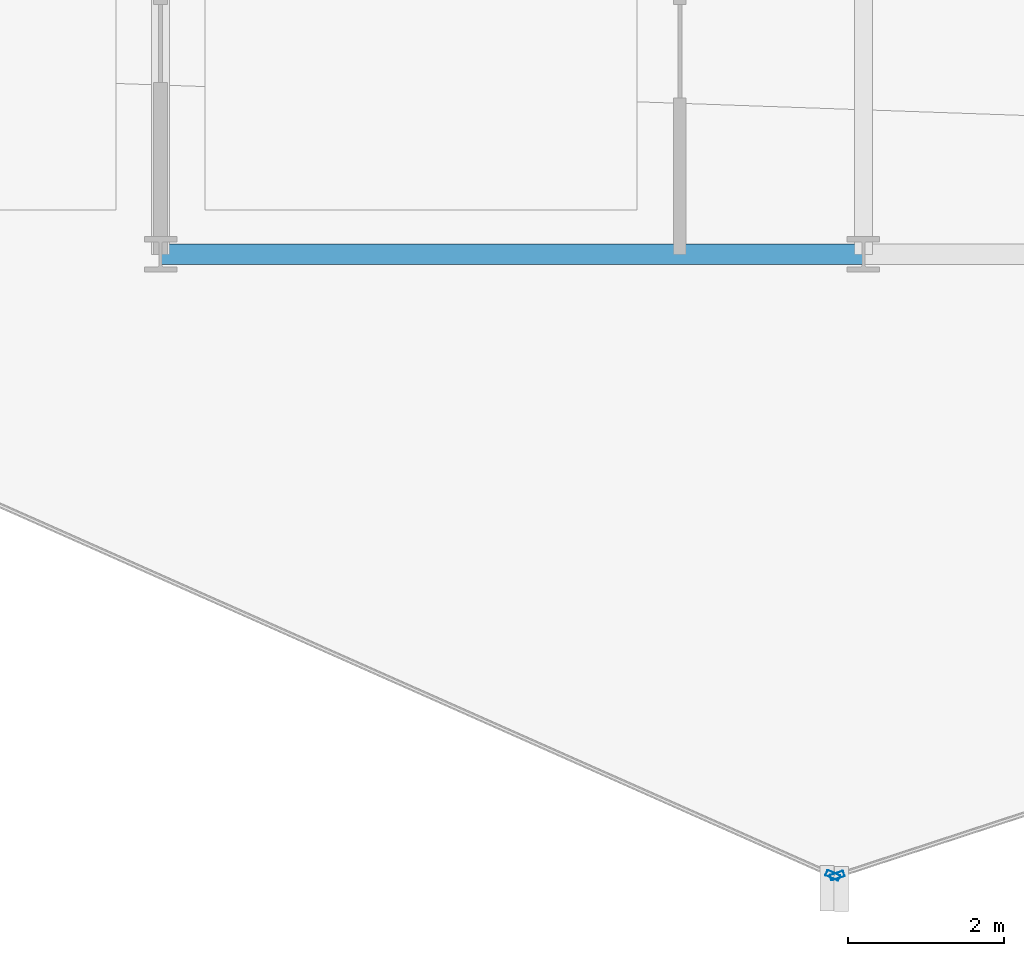
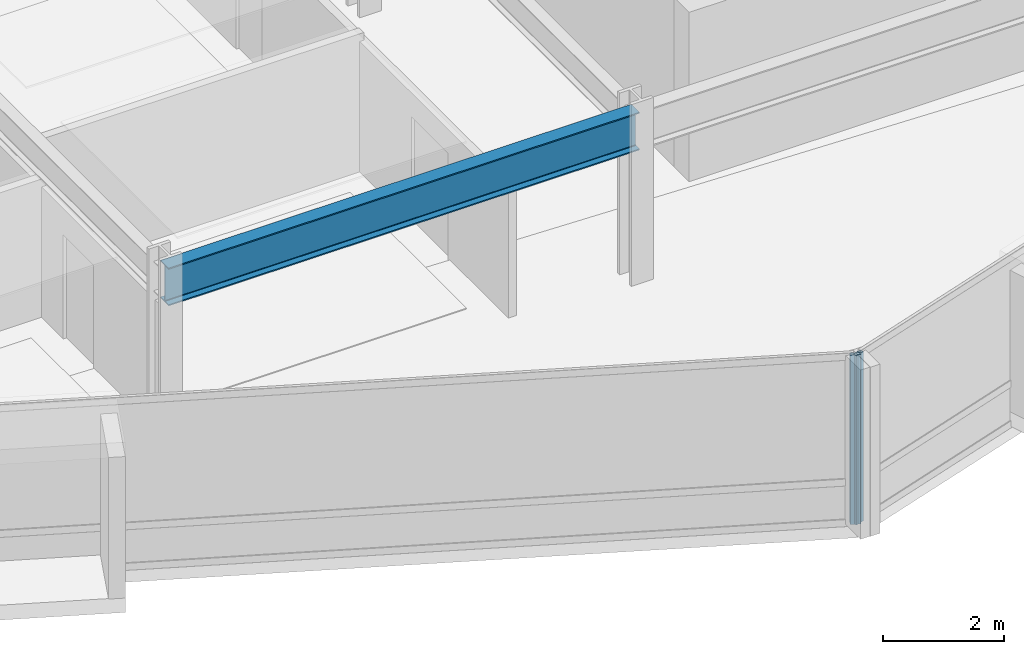
# One storey, part 4 of 28: 2 members, 1 beam, 2 elements without a shape of their own.
"""IFC4 building model written with IfcOpenShell, lengths in metres."""

from ifc_helpers import new_model, si_unit, direction, frame, origin, origin_2d, place, context, subcontext, project, spatial, hollow_rectangle, i_section, extrude, material, layer, layer_set, material_profile, profile_set, type_object, element, aggregate, save


model = new_model("IFC4")

# Units and contexts
model_context = context("Model", 3, precision=1e-05, world=origin(), true_north=direction((0.0, 1.0)))
body_context = subcontext(model_context, "Body", "Model", "MODEL_VIEW")
ifc_project = project(units=[si_unit("LENGTHUNIT", "METRE"), si_unit("AREAUNIT", "SQUARE_METRE"), si_unit("VOLUMEUNIT", "CUBIC_METRE"), si_unit("PLANEANGLEUNIT", "RADIAN"), si_unit("MASSUNIT", "GRAM", prefix="KILO")], contexts=[model_context])

# Site, building, storey
site_placement = place(None, origin())
site = spatial("IfcSite", under=ifc_project, at=site_placement, CompositionType="ELEMENT")
building_placement = place(site_placement, origin())
building = spatial("IfcBuilding", under=site, at=building_placement, Name="Solvaryn Broadcast Tower", CompositionType="ELEMENT")
storey_placement = place(building_placement, frame((0.0, 0.0, 132.199951171875)))
storey = spatial("IfcBuildingStorey", under=building, at=storey_placement, Name="L32", CompositionType="ELEMENT", Elevation=132.199951171875)

# Beam
ifc_material_1 = material(Name="Steel ASTM A992 Grade 50", Category="steel")
ifc_material_profile_1 = material_profile(ifc_material_1, i_section(OverallWidth=0.26708984375, OverallDepth=0.76611328125, WebThickness=0.014892578125, FlangeThickness=0.023681640625, FilletRadius=0.01806640625, at=origin_2d()))
ifc_profile_set_1 = profile_set([ifc_material_profile_1], Name="Steel ASTM A992 Grade 50")
beam_type = type_object("IfcBeamType", Name="BM-SP2-W30X124", PredefinedType="USERDEFINED", material=ifc_profile_set_1)
beam_placement = place(storey_placement, frame((18.0, 9.0, 3.037109375), z_axis=(1.0, 0.0, 0.0), x_axis=(0.0, 1.0, 0.0)))
element("IfcBeam", 1, at=beam_placement, inside=storey, type_object=beam_type, Name="L32 Spandrel Beam X (18-27 @ Y=9)", ObjectType="SPANDREL", PredefinedType="USERDEFINED", context=body_context, shape_type="SweptSolid", body=[
    extrude(i_section(OverallWidth=0.26708984375, OverallDepth=0.76611328125, WebThickness=0.014892578125, FlangeThickness=0.023681640625, FilletRadius=0.01806640625, at=origin_2d()), origin(), (0.0, 0.0, 1.0), 9.0),
])

# Curtain wall, member
ifc_material_2 = material(Name="Aluminium and Terracotta Unitised Curtain Wall", Category="masonry")
ifc_layer = layer(ifc_material_2, 0.199951171875)
ifc_layer_set = layer_set([ifc_layer], Name="CW-SYS2-LOWMID")
curtain_wall_type = type_object("IfcCurtainWallType", Name="CW-SYS2-LOWMID", PredefinedType="NOTDEFINED", material=ifc_layer_set)
curtain_wall_1_placement = place(storey_placement, origin())
curtain_wall_1 = element("IfcCurtainWall", 2, at=curtain_wall_1_placement, inside=storey, type_object=curtain_wall_type, Name="L32 Curtain Wall DR3", PredefinedType="NOTDEFINED")
ifc_material_3 = material(Name="Anodised Aluminium 6063-T6", Category="aluminium")
ifc_material_profile_2 = material_profile(ifc_material_3, hollow_rectangle(XDim=0.074951171875, YDim=0.179931640625, WallThickness=0.00390625, InnerFilletRadius=0.00390625, OuterFilletRadius=0.008056640625, at=origin_2d()))
ifc_profile_set_2 = profile_set([ifc_material_profile_2], Name="Anodised Aluminium 6063-T6")
member_type = type_object("IfcMemberType", Name="CW-MUL-180", PredefinedType="MULLION", material=ifc_profile_set_2)
member_1_placement = place(storey_placement, frame((26.608642578125, 1.046142578125, 0.0), z_axis=(0.0, 0.0, 1.0), x_axis=(0.405918429309, 0.913909311008, 0.0)))
member_1 = element("IfcMember", 3, at=member_1_placement, type_object=member_type, Name="CWS2 mullion 2", PredefinedType="MULLION", context=body_context, shape_type="SweptSolid", body=[
    extrude(hollow_rectangle(XDim=0.074951171875, YDim=0.179931640625, WallThickness=0.00390625, InnerFilletRadius=0.00390625, OuterFilletRadius=0.008056640625, at=origin_2d()), origin(), (0.0, 0.0, 1.0), 3.420166015625),
])
aggregate(curtain_wall_1, [member_1])

curtain_wall_2_placement = place(storey_placement, origin())
curtain_wall_2 = element("IfcCurtainWall", 4, at=curtain_wall_2_placement, inside=storey, type_object=curtain_wall_type, Name="L32 Curtain Wall DR4", PredefinedType="NOTDEFINED")
member_2_placement = place(storey_placement, frame((26.66455078125, 1.04345703125, 0.0), z_axis=(0.0, 0.0, 1.0), x_axis=(-0.311646057547, 0.950198260794, 0.0)))
member_2 = element("IfcMember", 5, at=member_2_placement, type_object=member_type, Name="CWS2 mullion 1", PredefinedType="MULLION", context=body_context, shape_type="SweptSolid", body=[
    extrude(hollow_rectangle(XDim=0.074951171875, YDim=0.179931640625, WallThickness=0.00390625, InnerFilletRadius=0.00390625, OuterFilletRadius=0.008056640625, at=origin_2d()), origin(), (0.0, 0.0, 1.0), 3.420166015625),
])
aggregate(curtain_wall_2, [member_2])

save(model, "model.ifc")
